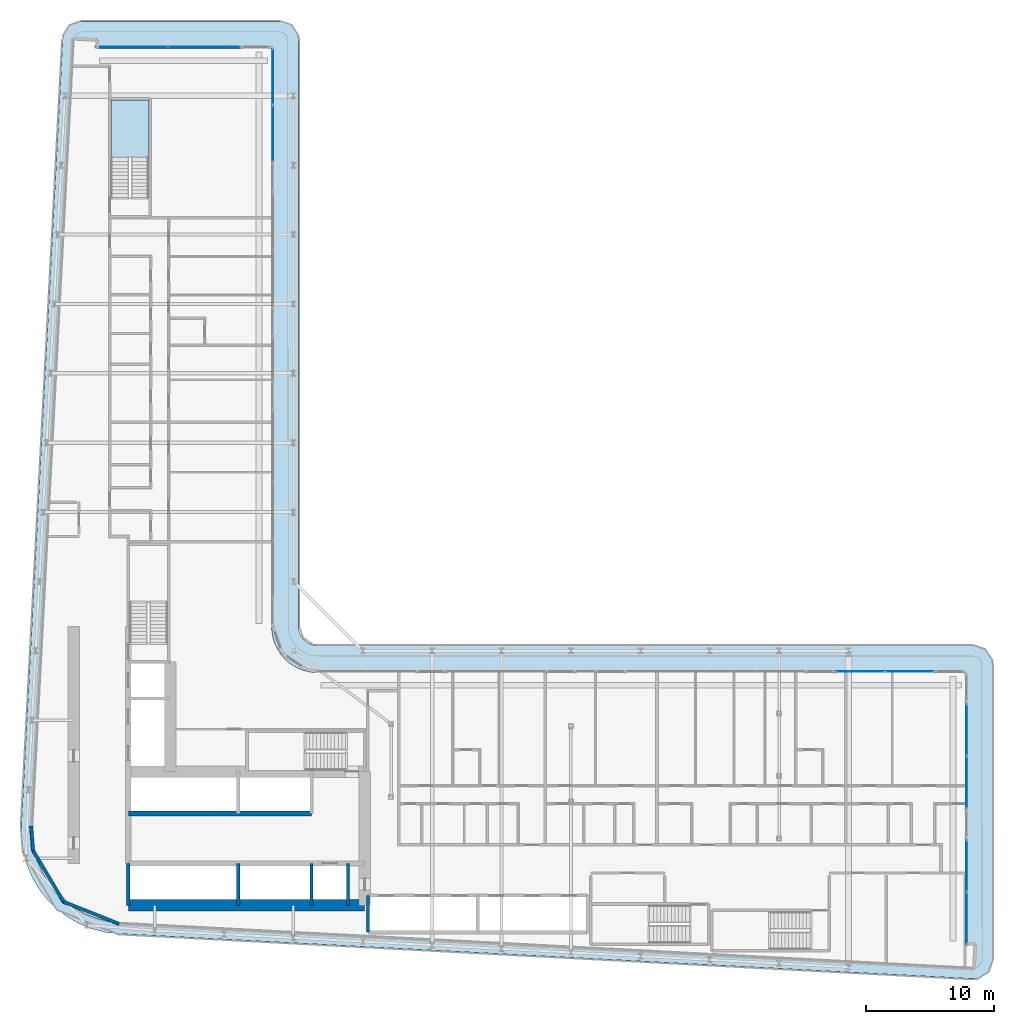
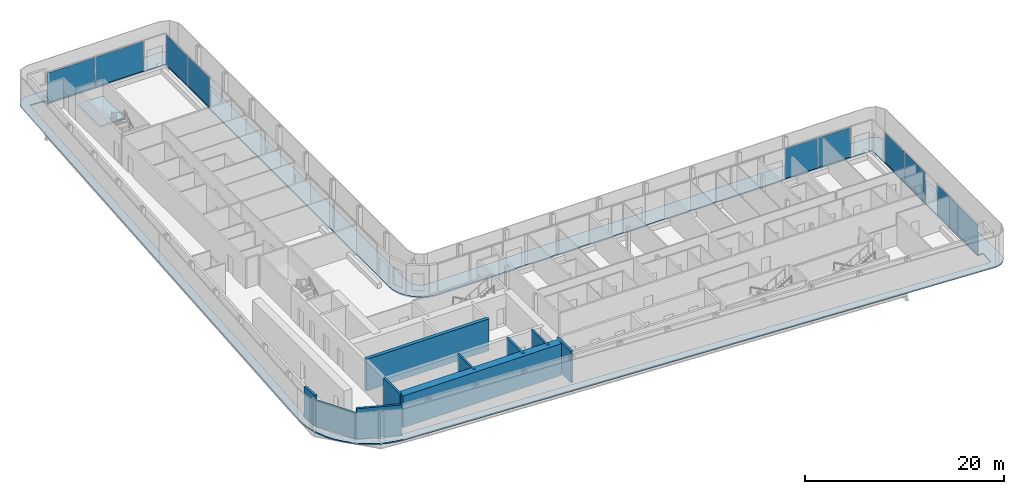
# One storey, part 11 of 25: 10 plates, 10 walls, 2 slabs, 6 elements without a shape of their own.
"""IFC4 building model written with IfcOpenShell, lengths in metres."""

from ifc_helpers import new_model, si_unit, direction, frame, frame_2d, origin, origin_2d, place, context, subcontext, project, spatial, polyline, rectangle, outline, extrude, material, layer, layer_set, type_object, element, aggregate, save


model = new_model("IFC4")

# Units and contexts
model_context = context("Model", 3, precision=1e-05, world=origin(), true_north=direction((0.0, 1.0)))
body_context = subcontext(model_context, "Body", "Model", "MODEL_VIEW")
ifc_project = project(units=[si_unit("LENGTHUNIT", "METRE"), si_unit("AREAUNIT", "SQUARE_METRE"), si_unit("VOLUMEUNIT", "CUBIC_METRE"), si_unit("PLANEANGLEUNIT", "RADIAN"), si_unit("MASSUNIT", "GRAM", prefix="KILO")], contexts=[model_context])

# Site, building, storey
site_placement = place(None, origin())
site = spatial("IfcSite", under=ifc_project, at=site_placement, CompositionType="ELEMENT")
building_placement = place(site_placement, origin())
building = spatial("IfcBuilding", under=site, at=building_placement, Name="Kheshtan School and Residences Tower", CompositionType="ELEMENT")
storey_placement = place(building_placement, frame((0.0, 0.0, 113.60009765625)))
storey = spatial("IfcBuildingStorey", under=building, at=storey_placement, Name="L26", CompositionType="ELEMENT", Elevation=113.60009765625)

# Curtain wall, plates
ifc_material_1 = material(Name="Clear low-e glass in thermally broken aluminium frame", Category="aluminium")
ifc_layer_1 = layer(ifc_material_1, 0.199951171875)
ifc_layer_set_1 = layer_set([ifc_layer_1], Name="Curtain wall CW-L")
curtain_wall_type = type_object("IfcCurtainWallType", Name="Curtain wall CW-L", PredefinedType="NOTDEFINED", material=ifc_layer_set_1)
curtain_wall_1_placement = place(storey_placement, origin())
curtain_wall_1 = element("IfcCurtainWall", 1, at=curtain_wall_1_placement, inside=storey, type_object=curtain_wall_type, Name="Curtain wall CWL3a", PredefinedType="NOTDEFINED")
ifc_layer_2 = layer(ifc_material_1, 0.031982421875)
ifc_layer_set_2 = layer_set([ifc_layer_2], Name="CW-L glass panel")
plate_type = type_object("IfcPlateType", Name="CW-L glass panel", PredefinedType="CURTAIN_PANEL", material=ifc_layer_set_2)
plate_1_placement = place(storey_placement, frame((35.0458984375, 92.60009765625, 0.0), z_axis=(0.0, 0.0, 1.0), x_axis=(1.0, 0.0, 0.0)))
plate_1 = element("IfcPlate", 2, at=plate_1_placement, type_object=plate_type, Name="CWL3a panel 1.1", PredefinedType="CURTAIN_PANEL", context=body_context, shape_type="SweptSolid", body=[
    extrude(rectangle(XDim=5.555908203125, YDim=0.031982421875, at=origin_2d()), origin(), (0.0, 0.0, 1.0), 3.6298828125),
])
plate_2_placement = place(storey_placement, frame((40.662109375, 92.60009765625, 0.0), z_axis=(0.0, 0.0, 1.0), x_axis=(1.0, 0.0, 0.0)))
plate_2 = element("IfcPlate", 3, at=plate_2_placement, type_object=plate_type, Name="CWL3a panel 2.1", PredefinedType="CURTAIN_PANEL", context=body_context, shape_type="SweptSolid", body=[
    extrude(rectangle(XDim=5.555908203125, YDim=0.031982421875, at=origin_2d()), origin(), (0.0, 0.0, 1.0), 3.6298828125),
])
aggregate(curtain_wall_1, [plate_1, plate_2])

curtain_wall_2_placement = place(storey_placement, origin())
curtain_wall_2 = element("IfcCurtainWall", 4, at=curtain_wall_2_placement, inside=storey, type_object=curtain_wall_type, Name="Curtain wall CWL4b", PredefinedType="NOTDEFINED")
plate_3_placement = place(storey_placement, frame((46.0, 90.26806640625, 0.0), z_axis=(0.0, 0.0, 1.0), x_axis=(0.0, -1.0, 0.0)))
plate_3 = element("IfcPlate", 5, at=plate_3_placement, type_object=plate_type, Name="CWL4b panel 1.1", PredefinedType="CURTAIN_PANEL", context=body_context, shape_type="SweptSolid", body=[
    extrude(rectangle(XDim=4.34375, YDim=0.031982421875, at=origin_2d()), origin(), (0.0, 0.0, 1.0), 3.6298828125),
])
plate_4_placement = place(storey_placement, frame((46.0, 85.8642578125, 0.0), z_axis=(0.0, 0.0, 1.0), x_axis=(0.0, -1.0, 0.0)))
plate_4 = element("IfcPlate", 6, at=plate_4_placement, type_object=plate_type, Name="CWL4b panel 2.1", PredefinedType="CURTAIN_PANEL", context=body_context, shape_type="SweptSolid", body=[
    extrude(rectangle(XDim=4.34375, YDim=0.031982421875, at=origin_2d()), origin(), (0.0, 0.0, 1.0), 3.6298828125),
])
aggregate(curtain_wall_2, [plate_3, plate_4])

curtain_wall_3_placement = place(storey_placement, origin())
curtain_wall_3 = element("IfcCurtainWall", 7, at=curtain_wall_3_placement, inside=storey, type_object=curtain_wall_type, Name="Curtain wall CWL8", PredefinedType="NOTDEFINED")
plate_5_placement = place(storey_placement, frame((91.744384765625, 44.0, 0.0), z_axis=(0.0, 0.0, 1.0), x_axis=(1.0, 0.0, 0.0)))
plate_5 = element("IfcPlate", 8, at=plate_5_placement, type_object=plate_type, Name="CWL8 panel 1.1", PredefinedType="CURTAIN_PANEL", context=body_context, shape_type="SweptSolid", body=[
    extrude(rectangle(XDim=3.757080078125, YDim=0.031982421875, at=origin_2d()), origin(), (0.0, 0.0, 1.0), 3.6298828125),
])
plate_6_placement = place(storey_placement, frame((95.5615234375, 44.0, 0.0), z_axis=(0.0, 0.0, 1.0), x_axis=(1.0, 0.0, 0.0)))
plate_6 = element("IfcPlate", 9, at=plate_6_placement, type_object=plate_type, Name="CWL8 panel 2.1", PredefinedType="CURTAIN_PANEL", context=body_context, shape_type="SweptSolid", body=[
    extrude(rectangle(XDim=3.757080078125, YDim=0.031982421875, at=origin_2d()), origin(), (0.0, 0.0, 1.0), 3.6298828125),
])
aggregate(curtain_wall_3, [plate_5, plate_6])

curtain_wall_4_placement = place(storey_placement, origin())
curtain_wall_4 = element("IfcCurtainWall", 10, at=curtain_wall_4_placement, inside=storey, type_object=curtain_wall_type, Name="Curtain wall CWL9", PredefinedType="NOTDEFINED")
plate_7_placement = place(storey_placement, frame((100.0, 39.436767578125, 0.0), z_axis=(0.0, 0.0, 1.0), x_axis=(0.0, -1.0, 0.0)))
plate_7 = element("IfcPlate", 11, at=plate_7_placement, type_object=plate_type, Name="CWL9 panel 1.1", PredefinedType="CURTAIN_PANEL", context=body_context, shape_type="SweptSolid", body=[
    extrude(rectangle(XDim=4.006591796875, YDim=0.031982421875, at=origin_2d()), origin(), (0.0, 0.0, 1.0), 3.6298828125),
])
plate_8_placement = place(storey_placement, frame((100.0, 35.370361328125, 0.0), z_axis=(0.0, 0.0, 1.0), x_axis=(0.0, -1.0, 0.0)))
plate_8 = element("IfcPlate", 12, at=plate_8_placement, type_object=plate_type, Name="CWL9 panel 2.1", PredefinedType="CURTAIN_PANEL", context=body_context, shape_type="SweptSolid", body=[
    extrude(rectangle(XDim=4.006591796875, YDim=0.031982421875, at=origin_2d()), origin(), (0.0, 0.0, 1.0), 3.6298828125),
])
aggregate(curtain_wall_4, [plate_7, plate_8])

curtain_wall_5_placement = place(storey_placement, origin())
curtain_wall_5 = element("IfcCurtainWall", 13, at=curtain_wall_5_placement, inside=storey, type_object=curtain_wall_type, Name="Curtain wall CWL9", PredefinedType="NOTDEFINED")
plate_9_placement = place(storey_placement, frame((100.0, 28.84375, 0.0), z_axis=(0.0, 0.0, 1.0), x_axis=(0.0, -1.0, 0.0)))
plate_9 = element("IfcPlate", 14, at=plate_9_placement, type_object=plate_type, Name="CWL9 panel 1.1", PredefinedType="CURTAIN_PANEL", context=body_context, shape_type="SweptSolid", body=[
    extrude(rectangle(XDim=4.006591796875, YDim=0.031982421875, at=origin_2d()), origin(), (0.0, 0.0, 1.0), 3.6298828125),
])
plate_10_placement = place(storey_placement, frame((100.0, 24.77734375, 0.0), z_axis=(0.0, 0.0, 1.0), x_axis=(0.0, -1.0, 0.0)))
plate_10 = element("IfcPlate", 15, at=plate_10_placement, type_object=plate_type, Name="CWL9 panel 2.1", PredefinedType="CURTAIN_PANEL", context=body_context, shape_type="SweptSolid", body=[
    extrude(rectangle(XDim=4.006591796875, YDim=0.031982421875, at=origin_2d()), origin(), (0.0, 0.0, 1.0), 3.6298828125),
])
aggregate(curtain_wall_5, [plate_9, plate_10])

# Slab
ifc_material_2 = material(Name="Concrete C40/50", Category="concrete")
ifc_layer_3 = layer(ifc_material_2, 0.14990234375)
ifc_layer_set_3 = layer_set([ifc_layer_3], Name="Loggia balcony slab 150 Concrete C40/50")
slab_type_1 = type_object("IfcSlabType", Name="Loggia balcony slab 150 Concrete C40/50", PredefinedType="FLOOR", material=ifc_layer_set_3)
slab_1_placement = place(storey_placement, frame((0.0, 0.0, -0.150146484375)))
element("IfcSlab", 16, at=slab_1_placement, inside=storey, type_object=slab_type_1, Name="Loggia balcony slab L26", PredefinedType="FLOOR", context=body_context, shape_type="SweptSolid", body=[
    extrude(outline(polyline([(28.4580078125, 26.222900390625), (28.45703125, 26.222900390625), (28.45703125, 26.22412109375), (28.4560546875, 26.22412109375), (27.81494140625, 27.0390625), (27.281005859375, 27.93798828125), (26.867919921875, 28.89990234375), (26.583984375, 29.89990234375), (26.583984375, 29.906982421875), (26.43408203125, 30.943115234375), (26.419921875, 31.989013671875), (29.64111328125, 93.178955078125), (29.64697265625, 93.22705078125), (29.64697265625, 93.22802734375), (29.64599609375, 93.22802734375), (29.64599609375, 93.22900390625), (29.64501953125, 93.22900390625), (29.64501953125, 93.22998046875), (29.64404296875, 93.22998046875), (29.64404296875, 93.23095703125), (29.64306640625, 93.23095703125), (29.64306640625, 93.23193359375), (29.64306640625, 93.23291015625), (29.660888671875, 93.381103515625), (29.660888671875, 93.384033203125), (29.660888671875, 93.385009765625), (29.662109375, 93.385009765625), (29.662109375, 93.385986328125), (29.6630859375, 93.385986328125), (29.6630859375, 93.386962890625), (29.6640625, 93.386962890625), (29.6650390625, 93.386962890625), (29.6650390625, 93.387939453125), (29.666015625, 93.387939453125), (29.666015625, 93.388916015625), (29.666015625, 93.39111328125), (29.718994140625, 93.583984375), (29.799072265625, 93.77490234375), (29.905029296875, 93.952880859375), (30.027099609375, 94.10693359375), (30.028076171875, 94.10693359375), (30.028076171875, 94.10791015625), (30.029052734375, 94.10791015625), (30.029052734375, 94.10888671875), (30.030029296875, 94.10888671875), (30.030029296875, 94.110107421875), (30.031005859375, 94.110107421875), (30.031005859375, 94.111083984375), (30.031982421875, 94.111083984375), (30.031982421875, 94.112060546875), (30.032958984375, 94.112060546875), (30.032958984375, 94.113037109375), (30.033935546875, 94.113037109375), (30.037109375, 94.113037109375), (30.0380859375, 94.113037109375), (30.0380859375, 94.114013671875), (30.18408203125, 94.257080078125), (30.18505859375, 94.257080078125), (30.18505859375, 94.258056640625), (30.18603515625, 94.258056640625), (30.18603515625, 94.259033203125), (30.18701171875, 94.259033203125), (30.18701171875, 94.260009765625), (30.18798828125, 94.260009765625), (30.18798828125, 94.260986328125), (30.18896484375, 94.260986328125), (30.18896484375, 94.261962890625), (30.18994140625, 94.261962890625), (30.18994140625, 94.262939453125), (30.19091796875, 94.262939453125), (30.19091796875, 94.263916015625), (30.35205078125, 94.376953125), (30.534912109375, 94.472900390625), (30.722900390625, 94.54296875), (30.72998046875, 94.54296875), (30.93310546875, 94.5859375), (31.138916015625, 94.60009765625), (46.5, 94.60009765625), (46.696044921875, 94.5869140625), (46.887939453125, 94.549072265625), (46.89501953125, 94.549072265625), (47.073974609375, 94.486083984375), (47.242919921875, 94.40087890625), (47.243896484375, 94.40087890625), (47.2470703125, 94.40087890625), (47.248046875, 94.40087890625), (47.248046875, 94.402099609375), (47.2490234375, 94.402099609375), (47.2490234375, 94.403076171875), (47.25, 94.403076171875), (47.2529296875, 94.403076171875), (47.25390625, 94.403076171875), (47.25390625, 94.402099609375), (47.2548828125, 94.402099609375), (47.2548828125, 94.40087890625), (47.256103515625, 94.40087890625), (47.256103515625, 94.39990234375), (47.257080078125, 94.39990234375), (47.257080078125, 94.39892578125), (47.258056640625, 94.39892578125), (47.258056640625, 94.39794921875), (47.412109375, 94.2958984375), (47.4130859375, 94.2958984375), (47.4130859375, 94.294921875), (47.4140625, 94.294921875), (47.4140625, 94.2939453125), (47.4140625, 94.2900390625), (47.4140625, 94.2890625), (47.4150390625, 94.2890625), (47.4150390625, 94.2880859375), (47.416015625, 94.2880859375), (47.416015625, 94.287109375), (47.4169921875, 94.287109375), (47.4169921875, 94.285888671875), (47.554931640625, 94.16796875), (47.554931640625, 94.1669921875), (47.555908203125, 94.1669921875), (47.555908203125, 94.166015625), (47.556884765625, 94.166015625), (47.556884765625, 94.1650390625), (47.55810546875, 94.1650390625), (47.55810546875, 94.1640625), (47.55908203125, 94.1640625), (47.55908203125, 94.1630859375), (47.56005859375, 94.1630859375), (47.56005859375, 94.162109375), (47.56103515625, 94.162109375), (47.56201171875, 94.160888671875), (47.56201171875, 94.159912109375), (47.56298828125, 94.159912109375), (47.56298828125, 94.158935546875), (47.56396484375, 94.158935546875), (47.56396484375, 94.157958984375), (47.56494140625, 94.157958984375), (47.56494140625, 94.156982421875), (47.56591796875, 94.156982421875), (47.56591796875, 94.156005859375), (47.56689453125, 94.156005859375), (47.56689453125, 94.155029296875), (47.568115234375, 94.155029296875), (47.68505859375, 94.01806640625), (47.68603515625, 94.01806640625), (47.68603515625, 94.01708984375), (47.68701171875, 94.01708984375), (47.68701171875, 94.01611328125), (47.68798828125, 94.01611328125), (47.68798828125, 94.014892578125), (47.68896484375, 94.014892578125), (47.68896484375, 94.013916015625), (47.68994140625, 94.013916015625), (47.694091796875, 94.013916015625), (47.695068359375, 94.013916015625), (47.695068359375, 94.012939453125), (47.696044921875, 94.012939453125), (47.696044921875, 94.011962890625), (47.797119140625, 93.85888671875), (47.798095703125, 93.85888671875), (47.798095703125, 93.85791015625), (47.799072265625, 93.85791015625), (47.799072265625, 93.85693359375), (47.800048828125, 93.85693359375), (47.800048828125, 93.85595703125), (47.801025390625, 93.85595703125), (47.801025390625, 93.85498046875), (47.802001953125, 93.85498046875), (47.802001953125, 93.85400390625), (47.802978515625, 93.85400390625), (47.802978515625, 93.85302734375), (47.802978515625, 93.85009765625), (47.802978515625, 93.84912109375), (47.802001953125, 93.84912109375), (47.802001953125, 93.847900390625), (47.801025390625, 93.847900390625), (47.801025390625, 93.846923828125), (47.801025390625, 93.843994140625), (47.801025390625, 93.843017578125), (47.885986328125, 93.674072265625), (47.948974609375, 93.4951171875), (47.948974609375, 93.488037109375), (47.987060546875, 93.2958984375), (48.0, 93.10009765625), (48.0, 47.5), (48.012939453125, 47.303955078125), (48.051025390625, 47.113037109375), (48.051025390625, 47.10693359375), (48.051025390625, 47.10595703125), (48.114013671875, 46.926025390625), (48.200927734375, 46.75), (48.31005859375, 46.5869140625), (48.431884765625, 46.444091796875), (48.43310546875, 46.444091796875), (48.43310546875, 46.443115234375), (48.43408203125, 46.443115234375), (48.43408203125, 46.44189453125), (48.43505859375, 46.44189453125), (48.43505859375, 46.44091796875), (48.43603515625, 46.44091796875), (48.43603515625, 46.43994140625), (48.43701171875, 46.43994140625), (48.43701171875, 46.43896484375), (48.43798828125, 46.43896484375), (48.43896484375, 46.43798828125), (48.43896484375, 46.43701171875), (48.43994140625, 46.43701171875), (48.43994140625, 46.43603515625), (48.44091796875, 46.43603515625), (48.44091796875, 46.43505859375), (48.44189453125, 46.43505859375), (48.44189453125, 46.43408203125), (48.443115234375, 46.43408203125), (48.443115234375, 46.43310546875), (48.444091796875, 46.43310546875), (48.444091796875, 46.431884765625), (48.5869140625, 46.31005859375), (48.75, 46.200927734375), (48.926025390625, 46.114013671875), (49.10595703125, 46.051025390625), (49.10693359375, 46.051025390625), (49.113037109375, 46.051025390625), (49.303955078125, 46.012939453125), (49.5, 46.0), (100.5, 46.0), (100.696044921875, 45.987060546875), (100.887939453125, 45.948974609375), (100.89501953125, 45.948974609375), (101.073974609375, 45.885986328125), (101.241943359375, 45.801025390625), (101.242919921875, 45.801025390625), (101.2470703125, 45.801025390625), (101.248046875, 45.801025390625), (101.248046875, 45.802001953125), (101.2490234375, 45.802001953125), (101.2490234375, 45.802978515625), (101.25, 45.802978515625), (101.2529296875, 45.802978515625), (101.25390625, 45.802978515625), (101.25390625, 45.802001953125), (101.2548828125, 45.802001953125), (101.2548828125, 45.801025390625), (101.256103515625, 45.801025390625), (101.256103515625, 45.800048828125), (101.257080078125, 45.800048828125), (101.257080078125, 45.799072265625), (101.258056640625, 45.799072265625), (101.258056640625, 45.798095703125), (101.259033203125, 45.798095703125), (101.259033203125, 45.797119140625), (101.260009765625, 45.797119140625), (101.260009765625, 45.7958984375), (101.412109375, 45.696044921875), (101.4130859375, 45.696044921875), (101.4130859375, 45.695068359375), (101.4140625, 45.695068359375), (101.4140625, 45.694091796875), (101.4140625, 45.68994140625), (101.4140625, 45.68896484375), (101.4150390625, 45.68896484375), (101.4150390625, 45.68798828125), (101.416015625, 45.68798828125), (101.416015625, 45.68701171875), (101.4169921875, 45.68701171875), (101.4169921875, 45.68603515625), (101.41796875, 45.68603515625), (101.41796875, 45.68505859375), (101.4189453125, 45.68505859375), (101.4189453125, 45.68408203125), (101.554931640625, 45.568115234375), (101.554931640625, 45.56689453125), (101.555908203125, 45.56689453125), (101.555908203125, 45.56591796875), (101.556884765625, 45.56591796875), (101.556884765625, 45.56494140625), (101.55810546875, 45.56494140625), (101.55810546875, 45.56396484375), (101.55908203125, 45.56396484375), (101.55908203125, 45.56298828125), (101.56005859375, 45.56298828125), (101.56005859375, 45.56201171875), (101.56103515625, 45.56201171875), (101.56201171875, 45.56103515625), (101.56201171875, 45.56005859375), (101.56298828125, 45.56005859375), (101.56298828125, 45.55908203125), (101.56396484375, 45.55908203125), (101.56396484375, 45.55810546875), (101.56494140625, 45.55810546875), (101.56494140625, 45.556884765625), (101.56591796875, 45.556884765625), (101.56591796875, 45.555908203125), (101.56689453125, 45.555908203125), (101.56689453125, 45.554931640625), (101.568115234375, 45.554931640625), (101.681884765625, 45.4208984375), (101.68310546875, 45.4208984375), (101.68310546875, 45.419921875), (101.68408203125, 45.419921875), (101.68408203125, 45.4189453125), (101.68505859375, 45.4189453125), (101.68505859375, 45.41796875), (101.68603515625, 45.41796875), (101.68603515625, 45.4169921875), (101.68701171875, 45.4169921875), (101.68701171875, 45.416015625), (101.68798828125, 45.416015625), (101.68798828125, 45.4150390625), (101.68896484375, 45.4150390625), (101.68896484375, 45.4140625), (101.68994140625, 45.4140625), (101.694091796875, 45.4140625), (101.695068359375, 45.4140625), (101.695068359375, 45.4130859375), (101.696044921875, 45.4130859375), (101.696044921875, 45.412109375), (101.7939453125, 45.261962890625), (101.794921875, 45.261962890625), (101.794921875, 45.260986328125), (101.7958984375, 45.260986328125), (101.7958984375, 45.260009765625), (101.797119140625, 45.260009765625), (101.797119140625, 45.259033203125), (101.798095703125, 45.259033203125), (101.798095703125, 45.258056640625), (101.799072265625, 45.258056640625), (101.799072265625, 45.257080078125), (101.800048828125, 45.257080078125), (101.800048828125, 45.256103515625), (101.801025390625, 45.256103515625), (101.801025390625, 45.2548828125), (101.802001953125, 45.2548828125), (101.802001953125, 45.25390625), (101.802978515625, 45.25390625), (101.802978515625, 45.2529296875), (101.802978515625, 45.25), (101.802978515625, 45.2490234375), (101.802001953125, 45.2490234375), (101.802001953125, 45.248046875), (101.801025390625, 45.248046875), (101.801025390625, 45.2470703125), (101.801025390625, 45.240966796875), (101.801025390625, 45.239990234375), (101.885986328125, 45.073974609375), (101.948974609375, 44.89501953125), (101.948974609375, 44.887939453125), (101.987060546875, 44.696044921875), (102.0, 44.5), (102.0, 21.5810546875), (101.986083984375, 21.37890625), (101.945068359375, 21.179931640625), (101.945068359375, 21.173095703125), (101.8779296875, 20.989013671875), (101.785888671875, 20.80810546875), (101.6708984375, 20.64306640625), (101.6708984375, 20.64208984375), (101.6708984375, 20.64111328125), (101.6708984375, 20.639892578125), (101.672119140625, 20.639892578125), (101.672119140625, 20.638916015625), (101.672119140625, 20.636962890625), (101.672119140625, 20.635986328125), (101.6708984375, 20.635986328125), (101.6708984375, 20.635009765625), (101.5380859375, 20.491943359375), (101.534912109375, 20.489013671875), (101.533935546875, 20.489013671875), (101.533935546875, 20.488037109375), (101.532958984375, 20.488037109375), (101.531005859375, 20.488037109375), (101.530029296875, 20.488037109375), (101.530029296875, 20.489013671875), (101.529052734375, 20.489013671875), (101.528076171875, 20.489013671875), (101.527099609375, 20.489013671875), (101.3759765625, 20.364013671875), (101.2041015625, 20.256103515625), (101.01904296875, 20.174072265625), (100.8310546875, 20.116943359375), (100.823974609375, 20.116943359375), (100.6240234375, 20.0859375), (100.4208984375, 20.0830078125), (33.989013671875, 23.580078125), (33.94189453125, 23.5859375), (33.94091796875, 23.5859375), (33.93994140625, 23.5859375), (33.93994140625, 23.5849609375), (33.93896484375, 23.5849609375), (33.93896484375, 23.583984375), (33.93798828125, 23.583984375), (33.93798828125, 23.5830078125), (33.93701171875, 23.5830078125), (33.93701171875, 23.58203125), (33.93603515625, 23.58203125), (33.93505859375, 23.58203125), (32.952880859375, 23.697998046875), (32.949951171875, 23.697998046875), (32.948974609375, 23.697998046875), (32.948974609375, 23.698974609375), (32.947998046875, 23.698974609375), (32.947998046875, 23.699951171875), (32.947021484375, 23.699951171875), (32.947021484375, 23.700927734375), (32.947021484375, 23.702880859375), (32.947021484375, 23.7041015625), (32.946044921875, 23.7041015625), (32.946044921875, 23.705078125), (32.945068359375, 23.705078125), (32.944091796875, 23.705078125), (31.93603515625, 23.9609375), (31.928955078125, 23.9609375), (30.964111328125, 24.34912109375), (30.051025390625, 24.860107421875), (29.218994140625, 25.47900390625), (29.218994140625, 25.47998046875), (29.218017578125, 25.47998046875), (29.218017578125, 25.48095703125), (29.217041015625, 25.48095703125), (29.217041015625, 25.48193359375), (29.216064453125, 25.48193359375), (29.216064453125, 25.48291015625), (29.215087890625, 25.48291015625), (29.215087890625, 25.48388671875), (29.214111328125, 25.48388671875), (29.214111328125, 25.485107421875), (29.212890625, 25.485107421875), (29.212890625, 25.486083984375), (29.2119140625, 25.486083984375), (28.467041015625, 26.217041015625), (28.467041015625, 26.218017578125), (28.466064453125, 26.218017578125), (28.462890625, 26.218017578125), (28.4619140625, 26.218017578125), (28.4619140625, 26.218994140625), (28.4609375, 26.218994140625), (28.4609375, 26.219970703125), (28.4599609375, 26.219970703125), (28.4599609375, 26.220947265625), (28.458984375, 26.220947265625), (28.458984375, 26.221923828125), (28.4580078125, 26.221923828125), (28.4580078125, 26.222900390625)]), holes=[polyline([(27.466064453125, 30.0869140625), (27.718017578125, 29.200927734375), (28.0849609375, 28.345947265625), (28.55908203125, 27.550048828125), (29.126953125, 26.825927734375), (29.1279296875, 26.825927734375), (29.1279296875, 26.824951171875), (29.12890625, 26.824951171875), (29.12890625, 26.823974609375), (29.1298828125, 26.823974609375), (29.1298828125, 26.822998046875), (29.131103515625, 26.822998046875), (29.131103515625, 26.822021484375), (29.132080078125, 26.822021484375), (29.132080078125, 26.821044921875), (29.133056640625, 26.821044921875), (29.133056640625, 26.820068359375), (29.134033203125, 26.820068359375), (29.794921875, 26.173095703125), (29.794921875, 26.172119140625), (29.7958984375, 26.172119140625), (29.798095703125, 26.172119140625), (29.799072265625, 26.172119140625), (29.799072265625, 26.1708984375), (29.800048828125, 26.1708984375), (29.800048828125, 26.169921875), (29.801025390625, 26.169921875), (29.801025390625, 26.1689453125), (29.802001953125, 26.1689453125), (29.802001953125, 26.16796875), (29.802978515625, 26.16796875), (29.802978515625, 26.1669921875), (29.803955078125, 26.1669921875), (29.803955078125, 26.166015625), (30.541015625, 25.616943359375), (31.35205078125, 25.1630859375), (32.208984375, 24.819091796875), (32.2099609375, 24.819091796875), (32.216064453125, 24.819091796875), (33.114990234375, 24.590087890625), (34.06591796875, 24.47705078125), (100.43798828125, 20.98291015625), (100.465087890625, 20.98388671875), (100.466064453125, 20.98388671875), (100.467041015625, 20.98388671875), (100.467041015625, 20.985107421875), (100.468017578125, 20.985107421875), (100.468017578125, 20.986083984375), (100.468017578125, 20.987060546875), (100.55810546875, 22.676025390625), (100.55810546875, 22.677001953125), (100.55810546875, 22.677978515625), (100.556884765625, 22.677978515625), (100.556884765625, 22.678955078125), (100.555908203125, 22.678955078125), (100.554931640625, 22.678955078125), (99.90087890625, 22.714111328125), (99.89990234375, 22.714111328125), (99.89990234375, 22.715087890625), (99.89990234375, 43.89794921875), (99.89990234375, 43.89892578125), (99.89892578125, 43.89892578125), (99.89892578125, 43.89990234375), (99.89794921875, 43.89990234375), (49.429931640625, 43.89990234375), (49.030029296875, 43.927001953125), (48.569091796875, 44.01806640625), (48.56201171875, 44.01806640625), (48.1201171875, 44.169921875), (47.697021484375, 44.37890625), (47.30810546875, 44.638916015625), (46.95703125, 44.944091796875), (46.95703125, 44.945068359375), (46.9560546875, 44.945068359375), (46.9560546875, 44.946044921875), (46.955078125, 44.946044921875), (46.955078125, 44.947021484375), (46.9541015625, 44.947021484375), (46.9541015625, 44.947998046875), (46.952880859375, 44.947998046875), (46.952880859375, 44.948974609375), (46.951904296875, 44.948974609375), (46.951904296875, 44.949951171875), (46.951904296875, 44.950927734375), (46.950927734375, 44.950927734375), (46.950927734375, 44.951904296875), (46.949951171875, 44.951904296875), (46.948974609375, 44.951904296875), (46.948974609375, 44.952880859375), (46.947998046875, 44.952880859375), (46.947998046875, 44.9541015625), (46.947021484375, 44.9541015625), (46.947021484375, 44.955078125), (46.946044921875, 44.955078125), (46.946044921875, 44.9560546875), (46.945068359375, 44.9560546875), (46.945068359375, 44.95703125), (46.944091796875, 44.95703125), (46.638916015625, 45.30810546875), (46.37890625, 45.697021484375), (46.169921875, 46.1201171875), (46.01806640625, 46.56201171875), (46.01806640625, 46.569091796875), (45.927001953125, 47.030029296875), (45.89990234375, 47.429931640625), (45.89990234375, 92.498046875), (45.89990234375, 92.4990234375), (45.89892578125, 92.4990234375), (45.89892578125, 92.5), (45.89794921875, 92.5), (32.208984375, 92.5), (32.2080078125, 92.5), (32.237060546875, 93.0390625), (32.237060546875, 93.0400390625), (32.237060546875, 93.041015625), (32.236083984375, 93.041015625), (32.236083984375, 93.0419921875), (32.235107421875, 93.0419921875), (32.23388671875, 93.0419921875), (30.544921875, 93.132080078125), (30.5439453125, 93.132080078125), (30.54296875, 93.132080078125), (30.54296875, 93.131103515625), (30.5419921875, 93.131103515625), (30.5419921875, 93.1298828125), (30.5419921875, 93.12890625), (30.5380859375, 93.10107421875), (27.320068359375, 31.970947265625), (27.3330078125, 31.013916015625), (27.466064453125, 30.093994140625), (27.466064453125, 30.087890625), (27.466064453125, 30.0869140625)])]), origin(), (0.0, 0.0, 1.0), 0.150146484375),
])

# Stair, slab
stair_type = type_object("IfcStairType", Name="Exit stair, half-turn", PredefinedType="HALF_TURN_STAIR", material=ifc_material_2)
stair_placement = place(storey_placement, origin())
stair = element("IfcStair", 17, at=stair_placement, inside=storey, type_object=stair_type, Name="L26 Protected Exit Stair ST3", PredefinedType="HALF_TURN_STAIR")
ifc_layer_4 = layer(ifc_material_2, 0.199951171875)
ifc_layer_set_4 = layer_set([ifc_layer_4], Name="Stair landing 200 Concrete C40/50")
slab_type_2 = type_object("IfcSlabType", Name="Stair landing 200 Concrete C40/50", PredefinedType="LANDING", material=ifc_layer_set_4)
slab_2_placement = place(storey_placement, frame((0.0, 0.0, 1.75)))
slab_2 = element("IfcSlab", 18, at=slab_2_placement, type_object=slab_type_2, Name="ST3 landing 1", PredefinedType="LANDING", context=body_context, shape_type="SweptSolid", body=[
    extrude(outline(polyline([(36.35009765625, 83.97998046875), (36.35009765625, 88.4599609375), (33.39990234375, 88.4599609375), (33.39990234375, 83.97998046875), (36.35009765625, 83.97998046875)])), origin(), (0.0, 0.0, 1.0), 0.199951171875),
])
aggregate(stair, [slab_2])

# Walls
ifc_material_3 = material(Name="Concrete C50/60", Category="concrete")
ifc_layer_5 = layer(ifc_material_3, 0.39990234375)
ifc_layer_set_5 = layer_set([ifc_layer_5], Name="Core wall 400 Concrete C50/60")
wall_type_1 = type_object("IfcWallType", Name="Core wall 400 Concrete C50/60", PredefinedType="SHEAR", material=ifc_layer_set_5)
wall_1_placement = place(storey_placement, frame((34.75, 32.949951171875, 0.0), z_axis=(0.0, 0.0, 1.0), x_axis=(1.0, 0.0, 0.0)))
element("IfcWall", 19, at=wall_1_placement, inside=storey, type_object=wall_type_1, Name="Core wall CW-HALL-S2", PredefinedType="SHEAR", context=body_context, shape_type="SweptSolid", body=[
    extrude(rectangle(XDim=14.25, YDim=0.39990234375, at=frame_2d((7.125, 0.0))), origin(), (0.0, 0.0, 1.0), 3.89990234375),
])
ifc_material_4 = material(Name="Concrete C80/95", Category="concrete")
ifc_layer_6 = layer(ifc_material_4, 0.89990234375)
ifc_layer_set_6 = layer_set([ifc_layer_6], Name="Core wall 900 Concrete C80/95")
wall_type_2 = type_object("IfcWallType", Name="Core wall 900 Concrete C80/95", PredefinedType="SHEAR", material=ifc_layer_set_6)
wall_2_placement = place(storey_placement, frame((34.75, 25.800048828125, 0.0), z_axis=(0.0, 0.0, 1.0), x_axis=(1.0, 0.0, 0.0)))
element("IfcWall", 20, at=wall_2_placement, inside=storey, type_object=wall_type_2, Name="Core wall CW-REAR-S", PredefinedType="SHEAR", context=body_context, shape_type="SweptSolid", body=[
    extrude(rectangle(XDim=18.39990234375, YDim=0.89990234375, at=frame_2d((9.199951171875, 0.0))), origin(), (0.0, 0.0, 1.0), 3.89990234375),
])
ifc_material_5 = material(Name="Concrete C40/50 with ceramic cladding and mineral wool insulation", Category="concrete")
ifc_layer_7 = layer(ifc_material_5, 0.25)
ifc_layer_set_7 = layer_set([ifc_layer_7], Name="External wall 250 ceramic clad")
wall_type_3 = type_object("IfcWallType", Name="External wall 250 ceramic clad", PredefinedType="SOLIDWALL", material=ifc_layer_set_7)
wall_3_placement = place(storey_placement, frame((34.0390625, 24.35302734375, 0.0), z_axis=(0.0, 0.0, 1.0), x_axis=(-0.929352825399, 0.369192803184, 0.0)))
element("IfcWall", 21, at=wall_3_placement, inside=storey, type_object=wall_type_3, Name="External wall L26 13", PredefinedType="SOLIDWALL", context=body_context, shape_type="SweptSolid", body=[
    extrude(rectangle(XDim=4.656005859375, YDim=0.25, at=frame_2d((2.328125, 0.0))), origin(), (0.0, 0.0, 1.0), 3.75),
])
wall_4_placement = place(storey_placement, frame((29.7119140625, 26.072021484375, 0.0), z_axis=(0.0, 0.0, 1.0), x_axis=(-0.511028049012, 0.859564036662, 0.0)))
element("IfcWall", 22, at=wall_4_placement, inside=storey, type_object=wall_type_3, Name="External wall L26 14", PredefinedType="SOLIDWALL", context=body_context, shape_type="SweptSolid", body=[
    extrude(rectangle(XDim=4.633544921875, YDim=0.25, at=frame_2d((2.31689453125, 0.0))), origin(), (0.0, 0.0, 1.0), 3.14697265625),
])
wall_5_placement = place(storey_placement, frame((27.343994140625, 30.054931640625, 0.0), z_axis=(0.0, 0.0, 1.0), x_axis=(-0.077571675317, 0.99698677784, 0.0)))
element("IfcWall", 23, at=wall_5_placement, inside=storey, type_object=wall_type_3, Name="External wall L26 15", PredefinedType="SOLIDWALL", context=body_context, shape_type="SweptSolid", body=[
    extrude(rectangle(XDim=1.919921875, YDim=0.25, at=frame_2d((0.9599609375, 0.0))), origin(), (0.0, 0.0, 1.0), 3.75),
])
ifc_material_6 = material(Name="Fire-board shaft wall system")
ifc_layer_8 = layer(ifc_material_6, 0.25)
ifc_layer_set_8 = layer_set([ifc_layer_8], Name="Shaft lining wall 250")
wall_type_4 = type_object("IfcWallType", Name="Shaft lining wall 250", PredefinedType="PARTITIONING", material=ifc_layer_set_8)
for number, where, z_axis, x_axis, name in (
    (24, (34.75, 25.800048828125, 0.0), (0.0, 0.0, 1.0), (0.0, 1.0, 0.0), "Shaft lining wall"),
    (25, (43.300048828125, 25.800048828125, 0.0), (0.0, 0.0, 1.0), (0.0, 1.0, 0.0), "Shaft lining wall"),
    (26, (49.0, 25.800048828125, 0.0), (0.0, 0.0, 1.0), (0.0, 1.0, 0.0), "Shaft lining wall"),
    (27, (51.85009765625, 25.800048828125, 0.0), (0.0, 0.0, 1.0), (0.0, 1.0, 0.0), "Shaft lining wall"),
):
    element("IfcWall", number, at=place(storey_placement, frame(where, z_axis=z_axis, x_axis=x_axis)), inside=storey, type_object=wall_type_4, Name=name, PredefinedType="PARTITIONING", context=body_context, shape_type="SweptSolid", body=[
        extrude(rectangle(XDim=3.25, YDim=0.25, at=frame_2d((1.625, 0.0))), origin(), (0.0, 0.0, 1.0), 3.89990234375),
    ])
wall_6_placement = place(storey_placement, frame((53.39990234375, 23.699951171875, 0.0), z_axis=(0.0, 0.0, 1.0), x_axis=(0.0, 1.0, 0.0)))
element("IfcWall", 28, at=wall_6_placement, inside=storey, type_object=wall_type_4, Name="Shaft lining wall", PredefinedType="PARTITIONING", context=body_context, shape_type="SweptSolid", body=[
    extrude(rectangle(XDim=2.85009765625, YDim=0.25, at=frame_2d((1.425048828125, 0.0))), origin(), (0.0, 0.0, 1.0), 3.89990234375),
])

save(model, "model.ifc")
